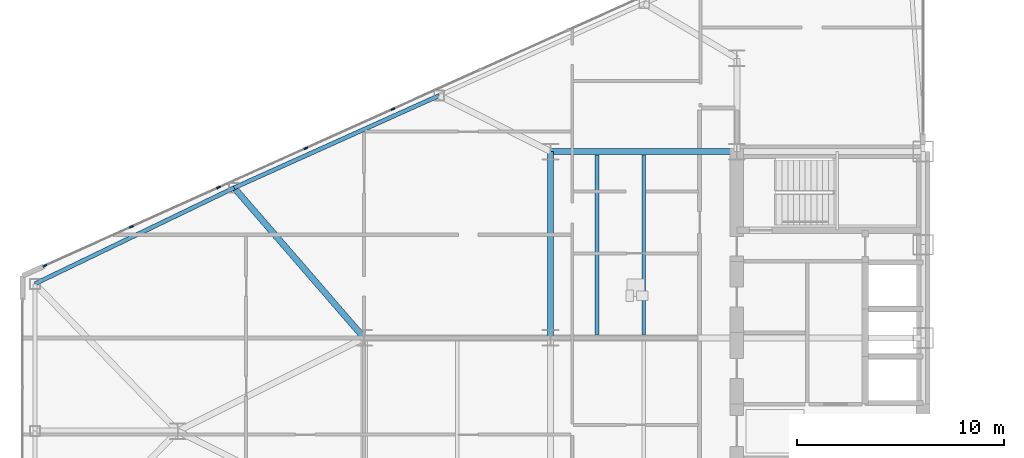
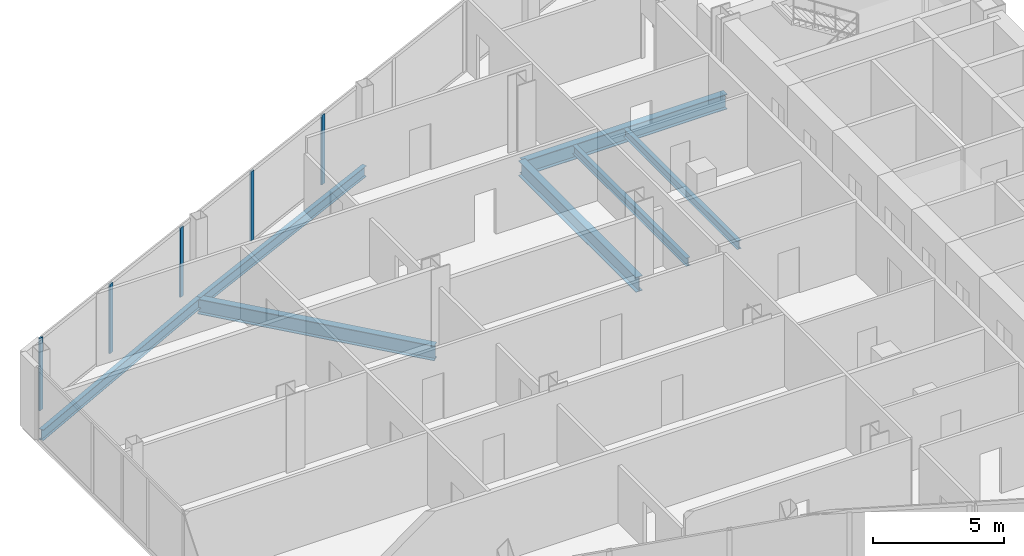
# One storey, part 7 of 27: 7 beams, 5 members, 1 element without a shape of its own.
"""IFC4 building model written with IfcOpenShell, lengths in metres."""

from ifc_helpers import new_model, si_unit, direction, frame, origin, origin_2d, place, context, subcontext, project, spatial, rectangle, i_section, extrude, source, transform, mapped, material, layer, layer_set, material_profile, profile_set, type_object, type_shapes, element, aggregate, save


model = new_model("IFC4")

# Units and contexts
model_context = context("Model", 3, precision=1e-05, world=origin(), true_north=direction((0.0, 1.0)))
body_context = subcontext(model_context, "Body", "Model", "MODEL_VIEW")
ifc_project = project(units=[si_unit("LENGTHUNIT", "METRE"), si_unit("AREAUNIT", "SQUARE_METRE"), si_unit("VOLUMEUNIT", "CUBIC_METRE"), si_unit("PLANEANGLEUNIT", "RADIAN"), si_unit("MASSUNIT", "GRAM", prefix="KILO")], contexts=[model_context])

# Site, building, storey
site_placement = place(None, origin())
site = spatial("IfcSite", under=ifc_project, at=site_placement, CompositionType="ELEMENT")
building_placement = place(site_placement, origin())
building = spatial("IfcBuilding", under=site, at=building_placement, Name="Seokmaru Belvedere", CompositionType="ELEMENT")
storey_placement = place(building_placement, frame((0.0, 0.0, 69.300048828125)))
storey = spatial("IfcBuildingStorey", under=building, at=storey_placement, Name="L18", CompositionType="ELEMENT", Elevation=69.300048828125)

# Beams
ifc_material_1 = material(Name="Steel SM355 (355 MPa)", Category="steel")
ifc_material_profile_1 = material_profile(ifc_material_1, i_section(OverallWidth=0.300048828125, OverallDepth=0.699951171875, WebThickness=0.012939453125, FlangeThickness=0.02392578125, at=origin_2d()), Name="H-700x300x13x24")
ifc_profile_set_1 = profile_set([ifc_material_profile_1], Name="Steel SM355 (355 MPa)")
beam_type_1 = type_object("IfcBeamType", Name="Primary Floor Girder H-700", PredefinedType="BEAM", material=ifc_profile_set_1)
shared_shape_1 = source(origin(), body_context, "Body", "SweptSolid", [
    extrude(i_section(OverallWidth=0.300048828125, OverallDepth=0.699951171875, WebThickness=0.012939453125, FlangeThickness=0.02392578125, at=origin_2d()), origin(), (0.0, 0.0, 1.0), 9.0),
])
for number, where, z_axis, x_axis, name in (
    (1, (-45.5, 4.5, -0.570068359375), (0.0, 1.0, 0.0), (-1.0, 0.0, 0.0), "L18 W Interior Grid Girder 3"),
    (2, (-45.5, 13.5, -0.570068359375), (1.0, 0.0, 0.0), (0.0, 1.0, 0.0), "L18 W Wing Primary Girder 4"),
):
    element("IfcBeam", number, at=place(storey_placement, frame(where, z_axis=z_axis, x_axis=x_axis)), inside=storey, type_object=beam_type_1, Name=name, PredefinedType="BEAM", context=body_context, shape_type="MappedRepresentation", body=[
        mapped(shared_shape_1, transform((0.0, 0.0, 0.0), scale=1.0)),
    ])
ifc_material_profile_2 = material_profile(ifc_material_1, i_section(OverallWidth=0.18505859375, OverallDepth=0.389892578125, WebThickness=0.008056640625, FlangeThickness=0.011962890625, at=origin_2d()), Name="H-390x185x8x12")
ifc_profile_set_2 = profile_set([ifc_material_profile_2], Name="Steel SM355 (355 MPa)")
beam_type_2 = type_object("IfcBeamType", Name="Secondary Floor Joist H-350", PredefinedType="JOIST", material=ifc_profile_set_2)
shared_shape_2 = source(origin(), body_context, "Body", "SweptSolid", [
    extrude(i_section(OverallWidth=0.18505859375, OverallDepth=0.389892578125, WebThickness=0.008056640625, FlangeThickness=0.011962890625, at=origin_2d()), origin(), (0.0, 0.0, 1.0), 8.68994140625),
])
type_shapes(beam_type_2, [shared_shape_2])
for number, where, z_axis, x_axis, name in (
    (3, (-43.25, 4.655029296875, -0.4150390625), (0.0, 1.0, 0.0), (-1.0, 0.0, 0.0), "L18 W Wing Inner Secondary Joist 2"),
    (4, (-41.0, 4.655029296875, -0.4150390625), (0.0, 1.0, 0.0), (-1.0, 0.0, 0.0), "L18 W Secondary Floor Joist 3"),
):
    element("IfcBeam", number, at=place(storey_placement, frame(where, z_axis=z_axis, x_axis=x_axis)), inside=storey, type_object=beam_type_2, Name=name, PredefinedType="JOIST", context=body_context, shape_type="MappedRepresentation", body=[
        mapped(shared_shape_2, transform((0.0, 0.0, 0.0), scale=1.0)),
    ])
ifc_material_profile_3 = material_profile(ifc_material_1, i_section(OverallWidth=0.199951171875, OverallDepth=0.5, WebThickness=0.010009765625, FlangeThickness=0.01611328125, at=origin_2d()), Name="H-500x200x10x16")
ifc_profile_set_3 = profile_set([ifc_material_profile_3], Name="Steel SM355 (355 MPa)")
beam_type_3 = type_object("IfcBeamType", Name="Perimeter Spandrel Beam H-500", PredefinedType="SPANDREL", material=ifc_profile_set_3)
shared_shape_3 = source(origin(), body_context, "Body", "SweptSolid", [
    extrude(i_section(OverallWidth=0.199951171875, OverallDepth=0.5, WebThickness=0.010009765625, FlangeThickness=0.01611328125, at=origin_2d()), origin(), (0.0, 0.0, 1.0), 10.85888671875),
])
beam_1_placement = place(storey_placement, frame((-50.875, 16.205322265625, -0.469970703125), z_axis=(-0.911925291223, -0.410356263785, 0.0), x_axis=(0.410356263785, -0.911925291223, 0.0)))
element("IfcBeam", 5, at=beam_1_placement, inside=storey, type_object=beam_type_3, Name="L18 W Faceted Flank Spandrel N-3", PredefinedType="SPANDREL", context=body_context, shape_type="MappedRepresentation", body=[
    mapped(shared_shape_3, transform((0.0, 0.0, 0.0), scale=1.0)),
])
shared_shape_4 = source(origin(), body_context, "Body", "SweptSolid", [
    extrude(i_section(OverallWidth=0.199951171875, OverallDepth=0.5, WebThickness=0.010009765625, FlangeThickness=0.01611328125, at=origin_2d()), origin(), (0.0, 0.0, 1.0), 10.681396484375),
])
type_shapes(beam_type_3, [shared_shape_3, shared_shape_4])
beam_2_placement = place(storey_placement, frame((-60.777587890625, 11.749267578125, -0.469970703125), z_axis=(-0.900846426616, -0.434137899352, 0.0), x_axis=(0.434137899352, -0.900846426616, 0.0)))
element("IfcBeam", 6, at=beam_2_placement, inside=storey, type_object=beam_type_3, Name="L18 W Faceted Flank Spandrel N-4", PredefinedType="SPANDREL", context=body_context, shape_type="MappedRepresentation", body=[
    mapped(shared_shape_4, transform((0.0, 0.0, 0.0), scale=1.0)),
])
shared_shape_5 = source(origin(), body_context, "Body", "SweptSolid", [
    extrude(i_section(OverallWidth=0.300048828125, OverallDepth=0.699951171875, WebThickness=0.012939453125, FlangeThickness=0.02392578125, at=origin_2d()), origin(), (0.0, 0.0, 1.0), 9.589599609375),
])
type_shapes(beam_type_1, [shared_shape_1, shared_shape_5])
beam_3_placement = place(storey_placement, frame((-60.777587890625, 11.749267578125, -0.570068359375), z_axis=(0.654626140929, -0.755952786629, 0.0), x_axis=(0.755952786629, 0.654626140929, 0.0)))
element("IfcBeam", 7, at=beam_3_placement, inside=storey, type_object=beam_type_1, Name="L18 W Flank Radial Floor Girder N-3", PredefinedType="BEAM", context=body_context, shape_type="MappedRepresentation", body=[
    mapped(shared_shape_5, transform((0.0, 0.0, 0.0), scale=1.0)),
])

# Curtain wall, members
ifc_material_2 = material(Name="Bronze Triple Insulating Glass", Category="glass")
ifc_layer = layer(ifc_material_2, 0.195068359375)
ifc_layer_set = layer_set([ifc_layer], Name="Bronze Triple Insulating Glass")
curtain_wall_type = type_object("IfcCurtainWallType", Name="Lower-Mid Tapered Curtain Wall System CW-3", PredefinedType="NOTDEFINED", material=ifc_layer_set)
curtain_wall_placement = place(storey_placement, origin())
curtain_wall = element("IfcCurtainWall", 8, at=curtain_wall_placement, inside=storey, type_object=curtain_wall_type, Name="L18 Curtain Wall WF3", PredefinedType="NOTDEFINED")
ifc_material_3 = material(Name="Anodised Bronze Aluminium", Category="aluminium")
ifc_material_profile_4 = material_profile(ifc_material_3, rectangle(XDim=0.070068359375, YDim=0.195068359375, at=origin_2d()), Name="CW-M-70x195")
ifc_profile_set_4 = profile_set([ifc_material_profile_4], Name="Anodised Bronze Aluminium")
member_type = type_object("IfcMemberType", Name="Bronze Unitised Mullion 70x195", PredefinedType="MULLION", material=ifc_profile_set_4)
shared_shape_6 = source(origin(), body_context, "Body", "SweptSolid", [
    extrude(rectangle(XDim=0.070068359375, YDim=0.195068359375, at=origin_2d()), origin(), (0.0, 0.0, 1.0), 3.3798828125),
])
member_1_placement = place(storey_placement, frame((-69.91943359375, 7.986328125, 0.0), z_axis=(0.0, 0.0, 1.0), x_axis=(0.41036554765, -0.91192111353, 0.0)))
member_1 = element("IfcMember", 9, at=member_1_placement, type_object=member_type, Name="CW:L18:WF3 Mullion 10", PredefinedType="MULLION", context=body_context, shape_type="MappedRepresentation", body=[
    mapped(shared_shape_6, transform((0.0, 0.0, 0.0), scale=1.0)),
])
shared_shape_7 = source(origin(), body_context, "Body", "SweptSolid", [
    extrude(rectangle(XDim=0.070068359375, YDim=0.195068359375, at=origin_2d()), origin(), (0.0, 0.0, 1.0), 3.239990234375),
])
type_shapes(member_type, [shared_shape_6, shared_shape_7])
member_2_placement = place(storey_placement, frame((-53.105712890625, 15.552490234375, 0.070068359375), z_axis=(0.0, 0.0, 1.0), x_axis=(0.41036554765, -0.91192111353, 0.0)))
member_2 = element("IfcMember", 10, at=member_2_placement, type_object=member_type, Name="CW:L18:WF3 Mullion 6", PredefinedType="MULLION", context=body_context, shape_type="MappedRepresentation", body=[
    mapped(shared_shape_7, transform((0.0, 0.0, 0.0), scale=1.0)),
])
member_3_placement = place(storey_placement, frame((-57.317138671875, 13.6572265625, 0.070068359375), z_axis=(0.0, 0.0, 1.0), x_axis=(0.41036554765, -0.91192111353, 0.0)))
member_3 = element("IfcMember", 11, at=member_3_placement, type_object=member_type, Name="CW:L18:WF3 Mullion 7", PredefinedType="MULLION", context=body_context, shape_type="MappedRepresentation", body=[
    mapped(shared_shape_7, transform((0.0, 0.0, 0.0), scale=1.0)),
])
member_4_placement = place(storey_placement, frame((-61.528564453125, 11.76220703125, 0.070068359375), z_axis=(0.0, 0.0, 1.0), x_axis=(0.41036554765, -0.91192111353, 0.0)))
member_4 = element("IfcMember", 12, at=member_4_placement, type_object=member_type, Name="CW:L18:WF3 Mullion 8", PredefinedType="MULLION", context=body_context, shape_type="MappedRepresentation", body=[
    mapped(shared_shape_7, transform((0.0, 0.0, 0.0), scale=1.0)),
])
member_5_placement = place(storey_placement, frame((-65.739990234375, 9.866943359375, 0.070068359375), z_axis=(0.0, 0.0, 1.0), x_axis=(0.41036554765, -0.91192111353, 0.0)))
member_5 = element("IfcMember", 13, at=member_5_placement, type_object=member_type, Name="CW:L18:WF3 Mullion 9", PredefinedType="MULLION", context=body_context, shape_type="MappedRepresentation", body=[
    mapped(shared_shape_7, transform((0.0, 0.0, 0.0), scale=1.0)),
])
aggregate(curtain_wall, [member_2, member_3, member_4, member_5, member_1])

save(model, "model.ifc")
